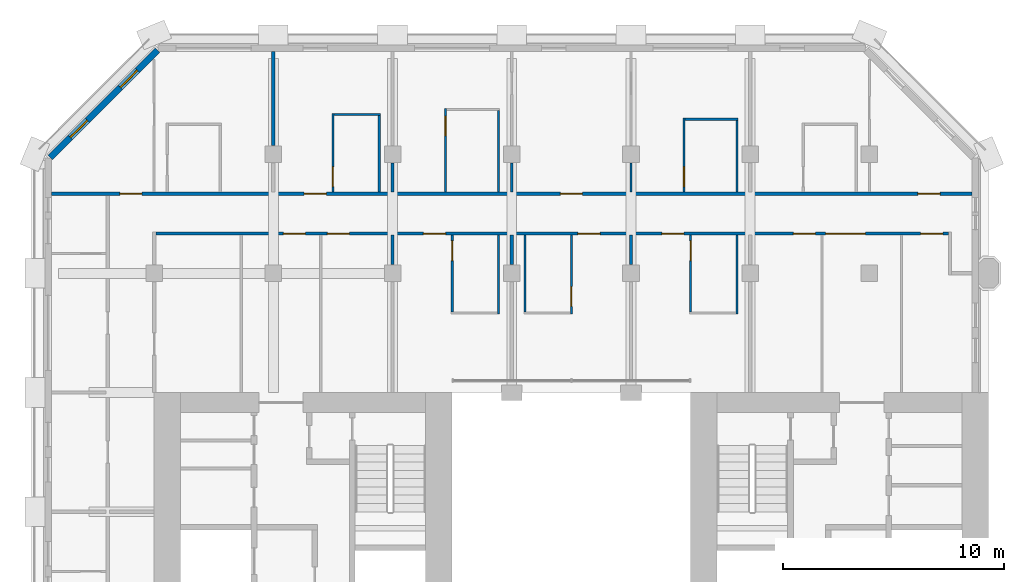
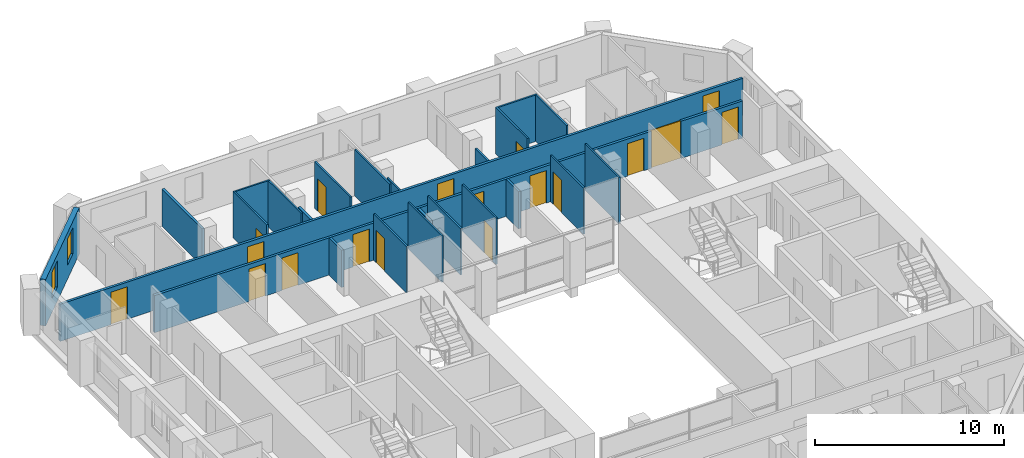
# One storey, part 10 of 14: 24 walls, 18 doors, 2 windows, 20 openings.
"""IFC4 building model written with IfcOpenShell, lengths in metres."""

from ifc_helpers import new_model, si_unit, direction, frame, frame_2d, origin, place, context, subcontext, project, spatial, rectangle, extrude, material, layer, layer_set, type_object, element, fill, save


model = new_model("IFC4")

# Units and contexts
model_context = context("Model", 3, precision=1e-05, world=origin(), true_north=direction((0.0, 1.0)))
body_context = subcontext(model_context, "Body", "Model", "MODEL_VIEW")
ifc_project = project(units=[si_unit("LENGTHUNIT", "METRE"), si_unit("AREAUNIT", "SQUARE_METRE"), si_unit("VOLUMEUNIT", "CUBIC_METRE"), si_unit("PLANEANGLEUNIT", "RADIAN"), si_unit("MASSUNIT", "GRAM", prefix="KILO")], contexts=[model_context])

# Site, building, storey
site_placement = place(None, origin())
site = spatial("IfcSite", under=ifc_project, at=site_placement, CompositionType="ELEMENT")
building_placement = place(site_placement, origin())
building = spatial("IfcBuilding", under=site, at=building_placement, Name="Tabaq Tower and Sports Hall", CompositionType="ELEMENT")
storey_placement = place(building_placement, frame((0.0, 0.0, 223.60009765625)))
storey = spatial("IfcBuildingStorey", under=building, at=storey_placement, Name="L56", CompositionType="ELEMENT", Elevation=223.60009765625)

# Wall
ifc_material_1 = material(Name="Gypsum board on steel studs", Category="steel")
ifc_layer_1 = layer(ifc_material_1, 0.10009765625)
ifc_layer_set_1 = layer_set([ifc_layer_1], Name="Partition 100 Gypsum board")
wall_type_1 = type_object("IfcWallType", Name="Partition 100 Gypsum board", PredefinedType="PARTITIONING", material=ifc_layer_set_1)
wall_1_placement = place(storey_placement, frame((31.800048828125, 39.52490234375, 0.0), z_axis=(0.0, 0.0, 1.0), x_axis=(0.0, -1.0, 0.0)))
element("IfcWall", 1, at=wall_1_placement, inside=storey, type_object=wall_type_1, Name="Partition wall L56", PredefinedType="PARTITIONING", context=body_context, shape_type="SweptSolid", body=[
    extrude(rectangle(XDim=3.574951171875, YDim=0.10009765625, at=frame_2d((1.78759765625, 0.0))), origin(), (0.0, 0.0, 1.0), 3.0),
])

# Wall, opening, door
wall_2_placement = place(storey_placement, frame((29.699951171875, 36.050048828125, 0.0), z_axis=(0.0, 0.0, 1.0), x_axis=(0.0, 1.0, 0.0)))
wall_2 = element("IfcWall", 2, at=wall_2_placement, inside=storey, type_object=wall_type_1, Name="Partition wall L56", PredefinedType="PARTITIONING", context=body_context, shape_type="SweptSolid", body=[
    extrude(rectangle(XDim=3.474853515625, YDim=0.10009765625, at=frame_2d((1.7373046875, 0.0))), origin(), (0.0, 0.0, 1.0), 3.0),
])
opening_1_placement = place(wall_2_placement, frame((2.324951171875, 0.0, 0.0)))
opening_1 = element("IfcOpeningElement", 3, at=opening_1_placement, cuts=wall_2, Name="Opening L56-001", PredefinedType="OPENING", context=body_context, shape_type="SweptSolid", body=[
    extrude(rectangle(XDim=0.89990234375, YDim=2.10009765625, at=frame_2d((0.449951171875, 1.050048828125))), frame((0.0, 0.050048828125, 0.0), z_axis=(0.0, -1.0, 0.0), x_axis=(1.0, 0.0, 0.0)), (0.0, 0.0, 1.0), 0.10009765625),
])
ifc_material_2 = material(Name="Timber leaf in steel frame", Category="steel")
door_type_1 = type_object("IfcDoorType", Name="Internal door 900 right hand", OperationType="SINGLE_SWING_RIGHT", PredefinedType="DOOR", material=ifc_material_2)
door_1_placement = place(opening_1_placement, origin())
door_1 = element("IfcDoor", 4, at=door_1_placement, inside=storey, type_object=door_type_1, Name="Internal door L56-001", OperationType="SINGLE_SWING_RIGHT", OverallHeight=2.10009765625, OverallWidth=0.89990234375, PredefinedType="DOOR", context=body_context, shape_type="SweptSolid", body=[
    extrude(rectangle(XDim=0.89990234375, YDim=2.10009765625, at=frame_2d((0.449951171875, 1.050048828125))), frame((0.0, 0.02490234375, 0.0), z_axis=(0.0, -1.0, 0.0), x_axis=(1.0, 0.0, 0.0)), (0.0, 0.0, 1.0), 0.050048828125),
])
fill(opening_1, door_1)

wall_3_placement = place(storey_placement, frame((24.300048828125, 39.52490234375, 0.0), z_axis=(0.0, 0.0, 1.0), x_axis=(0.0, -1.0, 0.0)))
wall_3 = element("IfcWall", 5, at=wall_3_placement, inside=storey, type_object=wall_type_1, Name="Partition wall L56", PredefinedType="PARTITIONING", context=body_context, shape_type="SweptSolid", body=[
    extrude(rectangle(XDim=3.574951171875, YDim=0.10009765625, at=frame_2d((1.78759765625, 0.0))), origin(), (0.0, 0.0, 1.0), 3.0),
])
opening_2_placement = place(wall_3_placement, frame((2.324951171875, 0.0, 0.0)))
opening_2 = element("IfcOpeningElement", 6, at=opening_2_placement, cuts=wall_3, Name="Opening L56-002", PredefinedType="OPENING", context=body_context, shape_type="SweptSolid", body=[
    extrude(rectangle(XDim=0.89990234375, YDim=2.10009765625, at=frame_2d((0.449951171875, 1.050048828125))), frame((0.0, 0.050048828125, 0.0), z_axis=(0.0, -1.0, 0.0), x_axis=(1.0, 0.0, 0.0)), (0.0, 0.0, 1.0), 0.10009765625),
])
door_2_placement = place(opening_2_placement, origin())
door_2 = element("IfcDoor", 7, at=door_2_placement, inside=storey, type_object=door_type_1, Name="Internal door L56-002", OperationType="SINGLE_SWING_RIGHT", OverallHeight=2.10009765625, OverallWidth=0.89990234375, PredefinedType="DOOR", context=body_context, shape_type="SweptSolid", body=[
    extrude(rectangle(XDim=0.89990234375, YDim=2.10009765625, at=frame_2d((0.449951171875, 1.050048828125))), frame((0.0, 0.02490234375, 0.0), z_axis=(0.0, -1.0, 0.0), x_axis=(1.0, 0.0, 0.0)), (0.0, 0.0, 1.0), 0.050048828125),
])
fill(opening_2, door_2)

# Walls
wall_4_placement = place(storey_placement, frame((22.199951171875, 36.050048828125, 0.0), z_axis=(0.0, 0.0, 1.0), x_axis=(0.0, 1.0, 0.0)))
element("IfcWall", 8, at=wall_4_placement, inside=storey, type_object=wall_type_1, Name="Partition wall L56", PredefinedType="PARTITIONING", context=body_context, shape_type="SweptSolid", body=[
    extrude(rectangle(XDim=3.474853515625, YDim=0.10009765625, at=frame_2d((1.7373046875, 0.0))), origin(), (0.0, 0.0, 1.0), 3.0),
])
wall_5_placement = place(storey_placement, frame((21.0, 39.52490234375, 0.0), z_axis=(0.0, 0.0, 1.0), x_axis=(0.0, -1.0, 0.0)))
element("IfcWall", 9, at=wall_5_placement, inside=storey, type_object=wall_type_1, Name="Partition wall L56", PredefinedType="PARTITIONING", context=body_context, shape_type="SweptSolid", body=[
    extrude(rectangle(XDim=3.574951171875, YDim=0.10009765625, at=frame_2d((1.78759765625, 0.0))), origin(), (0.0, 0.0, 1.0), 3.0),
])

# Wall, opening, door
wall_6_placement = place(storey_placement, frame((18.89990234375, 36.050048828125, 0.0), z_axis=(0.0, 0.0, 1.0), x_axis=(0.0, 1.0, 0.0)))
wall_6 = element("IfcWall", 10, at=wall_6_placement, inside=storey, type_object=wall_type_1, Name="Partition wall L56", PredefinedType="PARTITIONING", context=body_context, shape_type="SweptSolid", body=[
    extrude(rectangle(XDim=3.474853515625, YDim=0.10009765625, at=frame_2d((1.7373046875, 0.0))), origin(), (0.0, 0.0, 1.0), 3.0),
])
opening_3_placement = place(wall_6_placement, frame((2.324951171875, 0.0, 0.0)))
opening_3 = element("IfcOpeningElement", 11, at=opening_3_placement, cuts=wall_6, Name="Opening L56-003", PredefinedType="OPENING", context=body_context, shape_type="SweptSolid", body=[
    extrude(rectangle(XDim=0.89990234375, YDim=2.10009765625, at=frame_2d((0.449951171875, 1.050048828125))), frame((0.0, 0.050048828125, 0.0), z_axis=(0.0, -1.0, 0.0), x_axis=(1.0, 0.0, 0.0)), (0.0, 0.0, 1.0), 0.10009765625),
])
ifc_material_3 = material(Name="Timber leaf in steel frame", Category="steel")
door_type_2 = type_object("IfcDoorType", Name="Internal door 900 left hand", OperationType="SINGLE_SWING_LEFT", PredefinedType="DOOR", material=ifc_material_3)
door_3_placement = place(opening_3_placement, origin())
door_3 = element("IfcDoor", 12, at=door_3_placement, inside=storey, type_object=door_type_2, Name="Internal door L56-003", OperationType="SINGLE_SWING_LEFT", OverallHeight=2.10009765625, OverallWidth=0.89990234375, PredefinedType="DOOR", context=body_context, shape_type="SweptSolid", body=[
    extrude(rectangle(XDim=0.89990234375, YDim=2.10009765625, at=frame_2d((0.449951171875, 1.050048828125))), frame((0.0, 0.02490234375, 0.0), z_axis=(0.0, -1.0, 0.0), x_axis=(1.0, 0.0, 0.0)), (0.0, 0.0, 1.0), 0.050048828125),
])
fill(opening_3, door_3)

# Wall
wall_7_placement = place(storey_placement, frame((27.0, 42.804931640625, 0.0), z_axis=(0.0, 0.0, 1.0), x_axis=(0.0, -1.0, 0.0)))
element("IfcWall", 13, at=wall_7_placement, inside=storey, type_object=wall_type_1, Name="Partition wall L56", PredefinedType="PARTITIONING", context=body_context, shape_type="SweptSolid", body=[
    extrude(rectangle(XDim=1.329833984375, YDim=0.10009765625, at=frame_2d((0.6650390625, 0.0))), origin(), (0.0, 0.0, 1.0), 2.39990234375),
])

# Wall, opening, door
wall_8_placement = place(storey_placement, frame((29.39990234375, 41.47509765625, 0.0), z_axis=(0.0, 0.0, 1.0), x_axis=(0.0, 1.0, 0.0)))
wall_8 = element("IfcWall", 14, at=wall_8_placement, inside=storey, type_object=wall_type_1, Name="Partition wall L56", PredefinedType="PARTITIONING", context=body_context, shape_type="SweptSolid", body=[
    extrude(rectangle(XDim=3.349853515625, YDim=0.10009765625, at=frame_2d((1.6748046875, 0.0))), origin(), (0.0, 0.0, 1.0), 3.0),
])
opening_4_placement = place(wall_8_placement, frame((0.25, 0.0, 0.0)))
opening_4 = element("IfcOpeningElement", 15, at=opening_4_placement, cuts=wall_8, Name="Opening L56-006", PredefinedType="OPENING", context=body_context, shape_type="SweptSolid", body=[
    extrude(rectangle(XDim=0.89990234375, YDim=2.10009765625, at=frame_2d((0.449951171875, 1.050048828125))), frame((0.0, 0.050048828125, 0.0), z_axis=(0.0, -1.0, 0.0), x_axis=(1.0, 0.0, 0.0)), (0.0, 0.0, 1.0), 0.10009765625),
])
door_4_placement = place(opening_4_placement, origin())
door_4 = element("IfcDoor", 16, at=door_4_placement, inside=storey, type_object=door_type_1, Name="Internal door L56-006", OperationType="SINGLE_SWING_RIGHT", OverallHeight=2.10009765625, OverallWidth=0.89990234375, PredefinedType="DOOR", context=body_context, shape_type="SweptSolid", body=[
    extrude(rectangle(XDim=0.89990234375, YDim=2.10009765625, at=frame_2d((0.449951171875, 1.050048828125))), frame((0.0, 0.02490234375, 0.0), z_axis=(0.0, -1.0, 0.0), x_axis=(1.0, 0.0, 0.0)), (0.0, 0.0, 1.0), 0.050048828125),
])
fill(opening_4, door_4)

# Walls
wall_9_placement = place(storey_placement, frame((29.449951171875, 44.77490234375, 0.0), z_axis=(0.0, 0.0, 1.0), x_axis=(1.0, 0.0, 0.0)))
element("IfcWall", 17, at=wall_9_placement, inside=storey, type_object=wall_type_1, Name="Partition wall L56", PredefinedType="PARTITIONING", context=body_context, shape_type="SweptSolid", body=[
    extrude(rectangle(XDim=2.400146484375, YDim=0.10009765625, at=frame_2d((1.2001953125, 0.0))), origin(), (0.0, 0.0, 1.0), 3.0),
])
wall_10_placement = place(storey_placement, frame((31.800048828125, 44.72509765625, 0.0), z_axis=(0.0, 0.0, 1.0), x_axis=(0.0, -1.0, 0.0)))
element("IfcWall", 18, at=wall_10_placement, inside=storey, type_object=wall_type_1, Name="Partition wall L56", PredefinedType="PARTITIONING", context=body_context, shape_type="SweptSolid", body=[
    extrude(rectangle(XDim=3.25, YDim=0.10009765625, at=frame_2d((1.625, 0.0))), origin(), (0.0, 0.0, 1.0), 3.0),
])

# Wall, opening, door
wall_11_placement = place(storey_placement, frame((18.60009765625, 41.47509765625, 0.0), z_axis=(0.0, 0.0, 1.0), x_axis=(0.0, 1.0, 0.0)))
wall_11 = element("IfcWall", 19, at=wall_11_placement, inside=storey, type_object=wall_type_1, Name="Partition wall L56", PredefinedType="PARTITIONING", context=body_context, shape_type="SweptSolid", body=[
    extrude(rectangle(XDim=3.7998046875, YDim=0.10009765625, at=frame_2d((1.89990234375, 0.0))), origin(), (0.0, 0.0, 1.0), 3.0),
])
opening_5_placement = place(wall_11_placement, frame((2.550048828125, 0.0, 0.0)))
opening_5 = element("IfcOpeningElement", 20, at=opening_5_placement, cuts=wall_11, Name="Opening L56-007", PredefinedType="OPENING", context=body_context, shape_type="SweptSolid", body=[
    extrude(rectangle(XDim=0.89990234375, YDim=2.10009765625, at=frame_2d((0.449951171875, 1.050048828125))), frame((0.0, 0.050048828125, 0.0), z_axis=(0.0, -1.0, 0.0), x_axis=(1.0, 0.0, 0.0)), (0.0, 0.0, 1.0), 0.10009765625),
])
door_5_placement = place(opening_5_placement, origin())
door_5 = element("IfcDoor", 21, at=door_5_placement, inside=storey, type_object=door_type_2, Name="Internal door L56-007", OperationType="SINGLE_SWING_LEFT", OverallHeight=2.10009765625, OverallWidth=0.89990234375, PredefinedType="DOOR", context=body_context, shape_type="SweptSolid", body=[
    extrude(rectangle(XDim=0.89990234375, YDim=2.10009765625, at=frame_2d((0.449951171875, 1.050048828125))), frame((0.0, 0.02490234375, 0.0), z_axis=(0.0, -1.0, 0.0), x_axis=(1.0, 0.0, 0.0)), (0.0, 0.0, 1.0), 0.050048828125),
])
fill(opening_5, door_5)

# Walls
wall_12_placement = place(storey_placement, frame((21.0, 45.175048828125, 0.0), z_axis=(0.0, 0.0, 1.0), x_axis=(0.0, -1.0, 0.0)))
element("IfcWall", 22, at=wall_12_placement, inside=storey, type_object=wall_type_1, Name="Partition wall L56", PredefinedType="PARTITIONING", context=body_context, shape_type="SweptSolid", body=[
    extrude(rectangle(XDim=3.699951171875, YDim=0.10009765625, at=frame_2d((1.85009765625, 0.0))), origin(), (0.0, 0.0, 1.0), 3.0),
])
wall_13_placement = place(storey_placement, frame((21.60009765625, 41.47509765625, 0.0), z_axis=(0.0, 0.0, 1.0), x_axis=(0.0, 1.0, 0.0)))
element("IfcWall", 23, at=wall_13_placement, inside=storey, type_object=wall_type_1, Name="Partition wall L56", PredefinedType="PARTITIONING", context=body_context, shape_type="SweptSolid", body=[
    extrude(rectangle(XDim=1.329833984375, YDim=0.10009765625, at=frame_2d((0.6650390625, 0.0))), origin(), (0.0, 0.0, 1.0), 2.39990234375),
])

# Wall, opening, door
wall_14_placement = place(storey_placement, frame((13.5, 41.47509765625, 0.0), z_axis=(0.0, 0.0, 1.0), x_axis=(0.0, 1.0, 0.0)))
wall_14 = element("IfcWall", 24, at=wall_14_placement, inside=storey, type_object=wall_type_1, Name="Partition wall L56", PredefinedType="PARTITIONING", context=body_context, shape_type="SweptSolid", body=[
    extrude(rectangle(XDim=3.574951171875, YDim=0.10009765625, at=frame_2d((1.78759765625, 0.0))), origin(), (0.0, 0.0, 1.0), 3.0),
])
opening_6_placement = place(wall_14_placement, frame((0.25, 0.0, 0.0)))
opening_6 = element("IfcOpeningElement", 25, at=opening_6_placement, cuts=wall_14, Name="Opening L56-008", PredefinedType="OPENING", context=body_context, shape_type="SweptSolid", body=[
    extrude(rectangle(XDim=0.89990234375, YDim=2.10009765625, at=frame_2d((0.449951171875, 1.050048828125))), frame((0.0, 0.050048828125, 0.0), z_axis=(0.0, -1.0, 0.0), x_axis=(1.0, 0.0, 0.0)), (0.0, 0.0, 1.0), 0.10009765625),
])
door_6_placement = place(opening_6_placement, origin())
door_6 = element("IfcDoor", 26, at=door_6_placement, inside=storey, type_object=door_type_2, Name="Internal door L56-008", OperationType="SINGLE_SWING_LEFT", OverallHeight=2.10009765625, OverallWidth=0.89990234375, PredefinedType="DOOR", context=body_context, shape_type="SweptSolid", body=[
    extrude(rectangle(XDim=0.89990234375, YDim=2.10009765625, at=frame_2d((0.449951171875, 1.050048828125))), frame((0.0, 0.02490234375, 0.0), z_axis=(0.0, -1.0, 0.0), x_axis=(1.0, 0.0, 0.0)), (0.0, 0.0, 1.0), 0.050048828125),
])
fill(opening_6, door_6)

# Walls
wall_15_placement = place(storey_placement, frame((13.550048828125, 45.0, 0.0), z_axis=(0.0, 0.0, 1.0), x_axis=(1.0, 0.0, 0.0)))
element("IfcWall", 27, at=wall_15_placement, inside=storey, type_object=wall_type_1, Name="Partition wall L56", PredefinedType="PARTITIONING", context=body_context, shape_type="SweptSolid", body=[
    extrude(rectangle(XDim=2.099853515625, YDim=0.10009765625, at=frame_2d((1.0498046875, 0.0))), origin(), (0.0, 0.0, 1.0), 3.0),
])
wall_16_placement = place(storey_placement, frame((15.60009765625, 44.949951171875, 0.0), z_axis=(0.0, 0.0, 1.0), x_axis=(0.0, -1.0, 0.0)))
element("IfcWall", 28, at=wall_16_placement, inside=storey, type_object=wall_type_1, Name="Partition wall L56", PredefinedType="PARTITIONING", context=body_context, shape_type="SweptSolid", body=[
    extrude(rectangle(XDim=3.474853515625, YDim=0.10009765625, at=frame_2d((1.7373046875, 0.0))), origin(), (0.0, 0.0, 1.0), 3.0),
])
ifc_material_4 = material(Name="Blockwork", Category="masonry")
ifc_layer_2 = layer(ifc_material_4, 0.14990234375)
ifc_layer_set_2 = layer_set([ifc_layer_2], Name="Separating wall 150 Blockwork")
wall_type_2 = type_object("IfcWallType", Name="Separating wall 150 Blockwork", PredefinedType="PARTITIONING", material=ifc_layer_set_2)
for number, where, z_axis, x_axis, name in (
    (29, (27.0, 39.52490234375, 0.0), (0.0, 0.0, 1.0), (0.0, -1.0, 0.0), "Separating wall L56"),
    (30, (21.60009765625, 39.52490234375, 0.0), (0.0, 0.0, 1.0), (0.0, -1.0, 0.0), "Separating wall L56"),
    (31, (16.199951171875, 39.52490234375, 0.0), (0.0, 0.0, 1.0), (0.0, -1.0, 0.0), "Separating wall L56"),
    (32, (16.199951171875, 42.804931640625, 0.0), (0.0, 0.0, 1.0), (0.0, -1.0, 0.0), "Separating wall L56"),
):
    element("IfcWall", number, at=place(storey_placement, frame(where, z_axis=z_axis, x_axis=x_axis)), inside=storey, type_object=wall_type_2, Name=name, PredefinedType="PARTITIONING", context=body_context, shape_type="SweptSolid", body=[
        extrude(rectangle(XDim=1.329833984375, YDim=0.14990234375, at=frame_2d((0.6650390625, 0.0))), origin(), (0.0, 0.0, 1.0), 2.39990234375),
    ])
wall_17_placement = place(storey_placement, frame((10.800048828125, 47.84912109375, 0.0), z_axis=(0.0, 0.0, 1.0), x_axis=(0.0, -1.0, 0.0)))
element("IfcWall", 33, at=wall_17_placement, inside=storey, type_object=wall_type_2, Name="Separating wall L56", PredefinedType="PARTITIONING", context=body_context, shape_type="SweptSolid", body=[
    extrude(rectangle(XDim=4.254150390625, YDim=0.14990234375, at=frame_2d((2.126953125, 0.0))), origin(), (0.0, 0.0, 1.0), 2.39990234375),
])

# Wall, openings, doors
wall_18_placement = place(storey_placement, frame((42.448974609375, 41.39990234375, 0.0), z_axis=(0.0, 0.0, 1.0), x_axis=(-1.0, 0.0, 0.0)))
wall_18 = element("IfcWall", 34, at=wall_18_placement, inside=storey, type_object=wall_type_2, Name="Separating wall L56", PredefinedType="PARTITIONING", context=body_context, shape_type="SweptSolid", body=[
    extrude(rectangle(XDim=41.697998046875, YDim=0.14990234375, at=frame_2d((20.84912109375, 0.0))), origin(), (0.0, 0.0, 1.0), 2.39990234375),
])
opening_7_placement = place(wall_18_placement, frame((1.448974609375, 0.0, 0.0)))
opening_7 = element("IfcOpeningElement", 35, at=opening_7_placement, cuts=wall_18, Name="Opening L56-033", PredefinedType="OPENING", context=body_context, shape_type="SweptSolid", body=[
    extrude(rectangle(XDim=1.0, YDim=2.10009765625, at=frame_2d((0.5, 1.050048828125))), frame((0.0, 0.074951171875, 0.0), z_axis=(0.0, -1.0, 0.0), x_axis=(1.0, 0.0, 0.0)), (0.0, 0.0, 1.0), 0.14990234375),
])
opening_8_placement = place(wall_18_placement, frame((29.2490234375, 0.0, 0.0)))
opening_8 = element("IfcOpeningElement", 36, at=opening_8_placement, cuts=wall_18, Name="Opening L56-036", PredefinedType="OPENING", context=body_context, shape_type="SweptSolid", body=[
    extrude(rectangle(XDim=1.0, YDim=2.10009765625, at=frame_2d((0.5, 1.050048828125))), frame((0.0, 0.074951171875, 0.0), z_axis=(0.0, -1.0, 0.0), x_axis=(1.0, 0.0, 0.0)), (0.0, 0.0, 1.0), 0.14990234375),
])
opening_9_placement = place(wall_18_placement, frame((37.59912109375, 0.0, 0.0)))
opening_9 = element("IfcOpeningElement", 37, at=opening_9_placement, cuts=wall_18, Name="Opening L56-038", PredefinedType="OPENING", context=body_context, shape_type="SweptSolid", body=[
    extrude(rectangle(XDim=1.0, YDim=2.10009765625, at=frame_2d((0.5, 1.050048828125))), frame((0.0, 0.074951171875, 0.0), z_axis=(0.0, -1.0, 0.0), x_axis=(1.0, 0.0, 0.0)), (0.0, 0.0, 1.0), 0.14990234375),
])
opening_10_placement = place(wall_18_placement, frame((17.64892578125, 0.0, 0.0)))
opening_10 = element("IfcOpeningElement", 38, at=opening_10_placement, cuts=wall_18, Name="Opening L56-052", PredefinedType="OPENING", context=body_context, shape_type="SweptSolid", body=[
    extrude(rectangle(XDim=1.0, YDim=2.10009765625, at=frame_2d((0.5, 1.050048828125))), frame((0.0, 0.074951171875, 0.0), z_axis=(0.0, -1.0, 0.0), x_axis=(1.0, 0.0, 0.0)), (0.0, 0.0, 1.0), 0.14990234375),
])
ifc_material_5 = material(Name="Steel fire door", Category="steel")
door_type_3 = type_object("IfcDoorType", Name="Entrance door 1000 left hand", OperationType="SINGLE_SWING_LEFT", PredefinedType="DOOR", material=ifc_material_5)
door_7_placement = place(opening_7_placement, origin())
door_7 = element("IfcDoor", 39, at=door_7_placement, inside=storey, type_object=door_type_3, Name="Entrance door L56-033", OperationType="SINGLE_SWING_LEFT", OverallHeight=2.10009765625, OverallWidth=1.0, PredefinedType="DOOR", context=body_context, shape_type="SweptSolid", body=[
    extrude(rectangle(XDim=1.0, YDim=2.10009765625, at=frame_2d((0.5, 1.050048828125))), frame((0.0, 0.02490234375, 0.0), z_axis=(0.0, -1.0, 0.0), x_axis=(1.0, 0.0, 0.0)), (0.0, 0.0, 1.0), 0.050048828125),
])
fill(opening_7, door_7)
door_8_placement = place(opening_8_placement, origin())
door_8 = element("IfcDoor", 40, at=door_8_placement, inside=storey, type_object=door_type_3, Name="Entrance door L56-036", OperationType="SINGLE_SWING_LEFT", OverallHeight=2.10009765625, OverallWidth=1.0, PredefinedType="DOOR", context=body_context, shape_type="SweptSolid", body=[
    extrude(rectangle(XDim=1.0, YDim=2.10009765625, at=frame_2d((0.5, 1.050048828125))), frame((0.0, 0.02490234375, 0.0), z_axis=(0.0, -1.0, 0.0), x_axis=(1.0, 0.0, 0.0)), (0.0, 0.0, 1.0), 0.050048828125),
])
fill(opening_8, door_8)
door_9_placement = place(opening_9_placement, origin())
door_9 = element("IfcDoor", 41, at=door_9_placement, inside=storey, type_object=door_type_3, Name="Entrance door L56-038", OperationType="SINGLE_SWING_LEFT", OverallHeight=2.10009765625, OverallWidth=1.0, PredefinedType="DOOR", context=body_context, shape_type="SweptSolid", body=[
    extrude(rectangle(XDim=1.0, YDim=2.10009765625, at=frame_2d((0.5, 1.050048828125))), frame((0.0, 0.02490234375, 0.0), z_axis=(0.0, -1.0, 0.0), x_axis=(1.0, 0.0, 0.0)), (0.0, 0.0, 1.0), 0.050048828125),
])
fill(opening_9, door_9)
ifc_material_6 = material(Name="Steel fire door", Category="steel")
door_type_4 = type_object("IfcDoorType", Name="Entrance door 1000 right hand", OperationType="SINGLE_SWING_RIGHT", PredefinedType="DOOR", material=ifc_material_6)
door_10_placement = place(opening_10_placement, origin())
door_10 = element("IfcDoor", 42, at=door_10_placement, inside=storey, type_object=door_type_4, Name="Entrance door L56-052", OperationType="SINGLE_SWING_RIGHT", OverallHeight=2.10009765625, OverallWidth=1.0, PredefinedType="DOOR", context=body_context, shape_type="SweptSolid", body=[
    extrude(rectangle(XDim=1.0, YDim=2.10009765625, at=frame_2d((0.5, 1.050048828125))), frame((0.0, 0.02490234375, 0.0), z_axis=(0.0, -1.0, 0.0), x_axis=(1.0, 0.0, 0.0)), (0.0, 0.0, 1.0), 0.050048828125),
])
fill(opening_10, door_10)

wall_19_placement = place(storey_placement, frame((41.3740234375, 39.60009765625, 0.0), z_axis=(0.0, 0.0, 1.0), x_axis=(-1.0, 0.0, 0.0)))
wall_19 = element("IfcWall", 43, at=wall_19_placement, inside=storey, type_object=wall_type_2, Name="Separating wall L56", PredefinedType="PARTITIONING", context=body_context, shape_type="SweptSolid", body=[
    extrude(rectangle(XDim=35.89892578125, YDim=0.14990234375, at=frame_2d((17.949462890625, 0.0))), origin(), (0.0, 0.0, 1.0), 2.39990234375),
])
opening_11_placement = place(wall_19_placement, frame((0.25, 0.0, 0.0)))
opening_11 = element("IfcOpeningElement", 44, at=opening_11_placement, cuts=wall_19, Name="Opening L56-011", PredefinedType="OPENING", context=body_context, shape_type="SweptSolid", body=[
    extrude(rectangle(XDim=1.0, YDim=2.10009765625, at=frame_2d((0.5, 1.050048828125))), frame((0.0, 0.074951171875, 0.0), z_axis=(0.0, -1.0, 0.0), x_axis=(1.0, 0.0, 0.0)), (0.0, 0.0, 1.0), 0.14990234375),
])
opening_12_placement = place(wall_19_placement, frame((27.1240234375, 0.0, 0.0)))
opening_12 = element("IfcOpeningElement", 45, at=opening_12_placement, cuts=wall_19, Name="Opening L56-012", PredefinedType="OPENING", context=body_context, shape_type="SweptSolid", body=[
    extrude(rectangle(XDim=1.0, YDim=2.10009765625, at=frame_2d((0.5, 1.050048828125))), frame((0.0, 0.074951171875, 0.0), z_axis=(0.0, -1.0, 0.0), x_axis=(1.0, 0.0, 0.0)), (0.0, 0.0, 1.0), 0.14990234375),
])
opening_13_placement = place(wall_19_placement, frame((6.02392578125, 0.0, 0.0)))
opening_13 = element("IfcOpeningElement", 46, at=opening_13_placement, cuts=wall_19, Name="Opening L56-014", PredefinedType="OPENING", context=body_context, shape_type="SweptSolid", body=[
    extrude(rectangle(XDim=1.0, YDim=2.10009765625, at=frame_2d((0.5, 1.050048828125))), frame((0.0, 0.074951171875, 0.0), z_axis=(0.0, -1.0, 0.0), x_axis=(1.0, 0.0, 0.0)), (0.0, 0.0, 1.0), 0.14990234375),
])
opening_14_placement = place(wall_19_placement, frame((11.97412109375, 0.0, 0.0)))
opening_14 = element("IfcOpeningElement", 47, at=opening_14_placement, cuts=wall_19, Name="Opening L56-028", PredefinedType="OPENING", context=body_context, shape_type="SweptSolid", body=[
    extrude(rectangle(XDim=1.0, YDim=2.10009765625, at=frame_2d((0.5, 1.050048828125))), frame((0.0, 0.074951171875, 0.0), z_axis=(0.0, -1.0, 0.0), x_axis=(1.0, 0.0, 0.0)), (0.0, 0.0, 1.0), 0.14990234375),
])
opening_15_placement = place(wall_19_placement, frame((15.77392578125, 0.0, 0.0)))
opening_15 = element("IfcOpeningElement", 48, at=opening_15_placement, cuts=wall_19, Name="Opening L56-029", PredefinedType="OPENING", context=body_context, shape_type="SweptSolid", body=[
    extrude(rectangle(XDim=1.0, YDim=2.10009765625, at=frame_2d((0.5, 1.050048828125))), frame((0.0, 0.074951171875, 0.0), z_axis=(0.0, -1.0, 0.0), x_axis=(1.0, 0.0, 0.0)), (0.0, 0.0, 1.0), 0.14990234375),
])
opening_16_placement = place(wall_19_placement, frame((22.77392578125, 0.0, 0.0)))
opening_16 = element("IfcOpeningElement", 49, at=opening_16_placement, cuts=wall_19, Name="Opening L56-030", PredefinedType="OPENING", context=body_context, shape_type="SweptSolid", body=[
    extrude(rectangle(XDim=1.0, YDim=2.10009765625, at=frame_2d((0.5, 1.050048828125))), frame((0.0, 0.074951171875, 0.0), z_axis=(0.0, -1.0, 0.0), x_axis=(1.0, 0.0, 0.0)), (0.0, 0.0, 1.0), 0.14990234375),
])
opening_17_placement = place(wall_19_placement, frame((3.75390625, 0.0, 0.0)))
opening_17 = element("IfcOpeningElement", 50, at=opening_17_placement, cuts=wall_19, Name="Opening L56-039", PredefinedType="OPENING", context=body_context, shape_type="SweptSolid", body=[
    extrude(rectangle(XDim=1.800048828125, YDim=2.39990234375, at=frame_2d((0.89990234375, 1.199951171875))), frame((0.0, 0.074951171875, 0.0), z_axis=(0.0, -1.0, 0.0), x_axis=(1.0, 0.0, 0.0)), (0.0, 0.0, 1.0), 0.14990234375),
])
opening_18_placement = place(wall_19_placement, frame((29.1240234375, 0.0, 0.0)))
opening_18 = element("IfcOpeningElement", 51, at=opening_18_placement, cuts=wall_19, Name="Opening L56-040", PredefinedType="OPENING", context=body_context, shape_type="SweptSolid", body=[
    extrude(rectangle(XDim=1.0, YDim=2.10009765625, at=frame_2d((0.5, 1.050048828125))), frame((0.0, 0.074951171875, 0.0), z_axis=(0.0, -1.0, 0.0), x_axis=(1.0, 0.0, 0.0)), (0.0, 0.0, 1.0), 0.14990234375),
])
door_11_placement = place(opening_14_placement, origin())
door_11 = element("IfcDoor", 52, at=door_11_placement, inside=storey, type_object=door_type_3, Name="Entrance door L56-028", OperationType="SINGLE_SWING_LEFT", OverallHeight=2.10009765625, OverallWidth=1.0, PredefinedType="DOOR", context=body_context, shape_type="SweptSolid", body=[
    extrude(rectangle(XDim=1.0, YDim=2.10009765625, at=frame_2d((0.5, 1.050048828125))), frame((0.0, 0.02490234375, 0.0), z_axis=(0.0, -1.0, 0.0), x_axis=(1.0, 0.0, 0.0)), (0.0, 0.0, 1.0), 0.050048828125),
])
fill(opening_14, door_11)
door_12_placement = place(opening_16_placement, origin())
door_12 = element("IfcDoor", 53, at=door_12_placement, inside=storey, type_object=door_type_3, Name="Entrance door L56-030", OperationType="SINGLE_SWING_LEFT", OverallHeight=2.10009765625, OverallWidth=1.0, PredefinedType="DOOR", context=body_context, shape_type="SweptSolid", body=[
    extrude(rectangle(XDim=1.0, YDim=2.10009765625, at=frame_2d((0.5, 1.050048828125))), frame((0.0, 0.02490234375, 0.0), z_axis=(0.0, -1.0, 0.0), x_axis=(1.0, 0.0, 0.0)), (0.0, 0.0, 1.0), 0.050048828125),
])
fill(opening_16, door_12)
door_13_placement = place(opening_15_placement, origin())
door_13 = element("IfcDoor", 54, at=door_13_placement, inside=storey, type_object=door_type_4, Name="Entrance door L56-029", OperationType="SINGLE_SWING_RIGHT", OverallHeight=2.10009765625, OverallWidth=1.0, PredefinedType="DOOR", context=body_context, shape_type="SweptSolid", body=[
    extrude(rectangle(XDim=1.0, YDim=2.10009765625, at=frame_2d((0.5, 1.050048828125))), frame((0.0, 0.02490234375, 0.0), z_axis=(0.0, -1.0, 0.0), x_axis=(1.0, 0.0, 0.0)), (0.0, 0.0, 1.0), 0.050048828125),
])
fill(opening_15, door_13)
ifc_material_7 = material(Name="Timber leaf in steel frame", Category="steel")
door_type_5 = type_object("IfcDoorType", Name="Internal door 1000 left hand", OperationType="SINGLE_SWING_LEFT", PredefinedType="DOOR", material=ifc_material_7)
door_14_placement = place(opening_12_placement, origin())
door_14 = element("IfcDoor", 55, at=door_14_placement, inside=storey, type_object=door_type_5, Name="Internal door L56-012", OperationType="SINGLE_SWING_LEFT", OverallHeight=2.10009765625, OverallWidth=1.0, PredefinedType="DOOR", context=body_context, shape_type="SweptSolid", body=[
    extrude(rectangle(XDim=1.0, YDim=2.10009765625, at=frame_2d((0.5, 1.050048828125))), frame((0.0, 0.02490234375, 0.0), z_axis=(0.0, -1.0, 0.0), x_axis=(1.0, 0.0, 0.0)), (0.0, 0.0, 1.0), 0.050048828125),
])
fill(opening_12, door_14)
door_15_placement = place(opening_13_placement, origin())
door_15 = element("IfcDoor", 56, at=door_15_placement, inside=storey, type_object=door_type_5, Name="Internal door L56-014", OperationType="SINGLE_SWING_LEFT", OverallHeight=2.10009765625, OverallWidth=1.0, PredefinedType="DOOR", context=body_context, shape_type="SweptSolid", body=[
    extrude(rectangle(XDim=1.0, YDim=2.10009765625, at=frame_2d((0.5, 1.050048828125))), frame((0.0, 0.02490234375, 0.0), z_axis=(0.0, -1.0, 0.0), x_axis=(1.0, 0.0, 0.0)), (0.0, 0.0, 1.0), 0.050048828125),
])
fill(opening_13, door_15)
ifc_material_8 = material(Name="Timber leaf in steel frame", Category="steel")
door_type_6 = type_object("IfcDoorType", Name="Internal door 1000 right hand", OperationType="SINGLE_SWING_RIGHT", PredefinedType="DOOR", material=ifc_material_8)
door_16_placement = place(opening_11_placement, origin())
door_16 = element("IfcDoor", 57, at=door_16_placement, inside=storey, type_object=door_type_6, Name="Internal door L56-011", OperationType="SINGLE_SWING_RIGHT", OverallHeight=2.10009765625, OverallWidth=1.0, PredefinedType="DOOR", context=body_context, shape_type="SweptSolid", body=[
    extrude(rectangle(XDim=1.0, YDim=2.10009765625, at=frame_2d((0.5, 1.050048828125))), frame((0.0, 0.02490234375, 0.0), z_axis=(0.0, -1.0, 0.0), x_axis=(1.0, 0.0, 0.0)), (0.0, 0.0, 1.0), 0.050048828125),
])
fill(opening_11, door_16)
door_17_placement = place(opening_18_placement, origin())
door_17 = element("IfcDoor", 58, at=door_17_placement, inside=storey, type_object=door_type_6, Name="Internal door L56-040", OperationType="SINGLE_SWING_RIGHT", OverallHeight=2.10009765625, OverallWidth=1.0, PredefinedType="DOOR", context=body_context, shape_type="SweptSolid", body=[
    extrude(rectangle(XDim=1.0, YDim=2.10009765625, at=frame_2d((0.5, 1.050048828125))), frame((0.0, 0.02490234375, 0.0), z_axis=(0.0, -1.0, 0.0), x_axis=(1.0, 0.0, 0.0)), (0.0, 0.0, 1.0), 0.050048828125),
])
fill(opening_18, door_17)
ifc_material_9 = material(Name="Timber leaf in steel frame", Category="steel")
door_type_7 = type_object("IfcDoorType", Name="Internal door 1800", OperationType="DOUBLE_DOOR_SINGLE_SWING", PredefinedType="DOOR", material=ifc_material_9)
door_18_placement = place(opening_17_placement, origin())
door_18 = element("IfcDoor", 59, at=door_18_placement, inside=storey, type_object=door_type_7, Name="Internal door L56-039", OperationType="DOUBLE_DOOR_SINGLE_SWING", OverallHeight=2.39990234375, OverallWidth=1.800048828125, PredefinedType="DOOR", context=body_context, shape_type="SweptSolid", body=[
    extrude(rectangle(XDim=1.800048828125, YDim=2.39990234375, at=frame_2d((0.89990234375, 1.199951171875))), frame((0.0, 0.02490234375, 0.0), z_axis=(0.0, -1.0, 0.0), x_axis=(1.0, 0.0, 0.0)), (0.0, 0.0, 1.0), 0.050048828125),
])
fill(opening_17, door_18)

# Wall, openings, windows
ifc_material_10 = material(Name="White precast concrete C60/75", Category="concrete")
ifc_layer_3 = layer(ifc_material_10, 0.300048828125)
ifc_layer_set_3 = layer_set([ifc_layer_3], Name="White precast concrete C60/75 external wall 300")
wall_type_3 = type_object("IfcWallType", Name="White precast concrete C60/75 external wall 300", PredefinedType="SOLIDWALL", material=ifc_layer_set_3)
wall_20_placement = place(storey_placement, frame((5.549560546875, 47.901123046875, 0.0), z_axis=(0.0, 0.0, 1.0), x_axis=(-0.707106781187, -0.707106781187, 0.0)))
wall_20 = element("IfcWall", 60, at=wall_20_placement, inside=storey, type_object=wall_type_3, Name="External Wall L56 NW", PredefinedType="SOLIDWALL", context=body_context, shape_type="SweptSolid", body=[
    extrude(rectangle(XDim=6.85986328125, YDim=0.300048828125, at=frame_2d((3.429931640625, 0.0))), origin(), (0.0, 0.0, 1.0), 3.0),
])
opening_19_placement = place(wall_20_placement, frame((1.27978515625, 0.0, 0.89990234375)))
opening_19 = element("IfcOpeningElement", 61, at=opening_19_placement, cuts=wall_20, Name="Opening W1B", PredefinedType="OPENING", context=body_context, shape_type="SweptSolid", body=[
    extrude(rectangle(XDim=1.10009765625, YDim=1.699951171875, at=frame_2d((0.550048828125, 0.85009765625))), frame((0.0, 0.16015625, 0.0), z_axis=(0.0, -1.0, 0.0), x_axis=(1.0, 0.0, 0.0)), (0.0, 0.0, 1.0), 0.320068359375),
])
opening_20_placement = place(wall_20_placement, frame((4.479736328125, 0.0, 0.89990234375)))
opening_20 = element("IfcOpeningElement", 62, at=opening_20_placement, cuts=wall_20, Name="Opening W1B", PredefinedType="OPENING", context=body_context, shape_type="SweptSolid", body=[
    extrude(rectangle(XDim=1.10009765625, YDim=1.699951171875, at=frame_2d((0.550048828125, 0.85009765625))), frame((0.0, 0.16015625, 0.0), z_axis=(0.0, -1.0, 0.0), x_axis=(1.0, 0.0, 0.0)), (0.0, 0.0, 1.0), 0.320068359375),
])
ifc_material_11 = material(Name="Aluminium framed clear glazing", Category="aluminium")
window_type = type_object("IfcWindowType", Name="Window W1B", PartitioningType="SINGLE_PANEL", PredefinedType="WINDOW", material=ifc_material_11)
window_1_placement = place(opening_19_placement, origin())
window_1 = element("IfcWindow", 63, at=window_1_placement, inside=storey, type_object=window_type, Name="Window W1B L56", OverallHeight=1.699951171875, OverallWidth=1.10009765625, PartitioningType="SINGLE_PANEL", PredefinedType="WINDOW", context=body_context, shape_type="SweptSolid", body=[
    extrude(rectangle(XDim=1.10009765625, YDim=1.699951171875, at=frame_2d((0.550048828125, 0.85009765625))), frame((0.0, 0.030029296875, 0.0), z_axis=(0.0, -1.0, 0.0), x_axis=(1.0, 0.0, 0.0)), (0.0, 0.0, 1.0), 0.06005859375),
])
fill(opening_19, window_1)
window_2_placement = place(opening_20_placement, origin())
window_2 = element("IfcWindow", 64, at=window_2_placement, inside=storey, type_object=window_type, Name="Window W1B L56", OverallHeight=1.699951171875, OverallWidth=1.10009765625, PartitioningType="SINGLE_PANEL", PredefinedType="WINDOW", context=body_context, shape_type="SweptSolid", body=[
    extrude(rectangle(XDim=1.10009765625, YDim=1.699951171875, at=frame_2d((0.550048828125, 0.85009765625))), frame((0.0, 0.030029296875, 0.0), z_axis=(0.0, -1.0, 0.0), x_axis=(1.0, 0.0, 0.0)), (0.0, 0.0, 1.0), 0.06005859375),
])
fill(opening_20, window_2)

save(model, "model.ifc")
